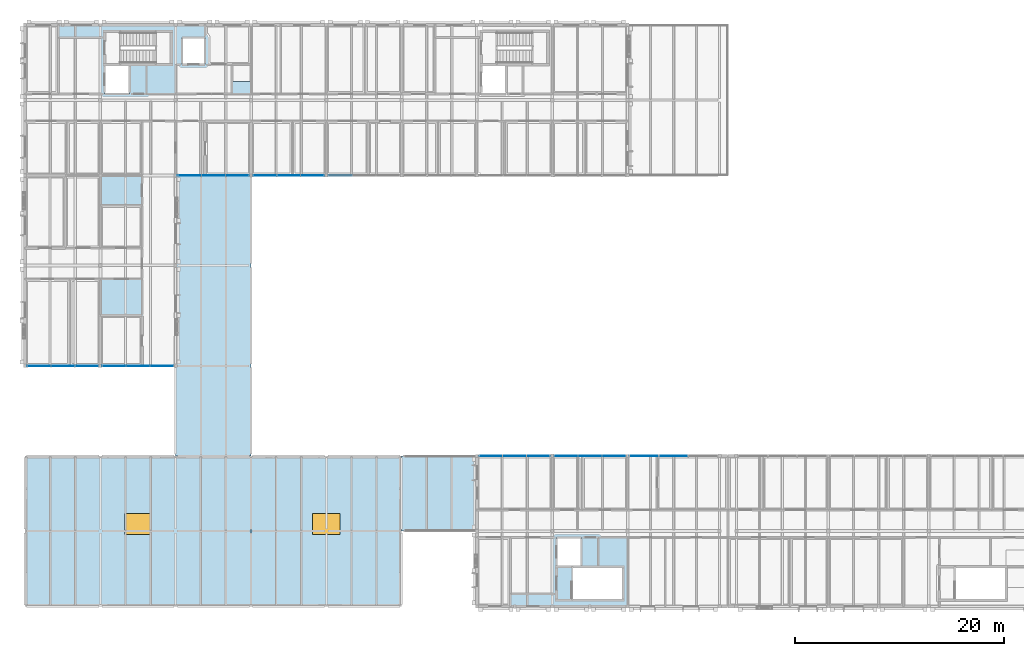
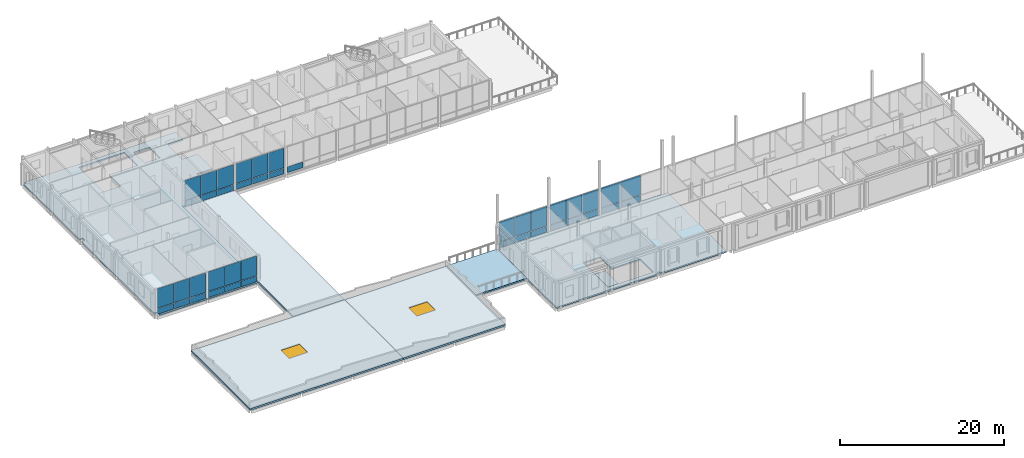
# One storey, part 33 of 57: 41 plates, 7 slabs, 2 windows, 2 openings, 8 elements without a shape of their own.
"""IFC4 building model written with IfcOpenShell, lengths in metres."""

import ifcopenshell
import ifcopenshell.guid

model = None  # the IFC model being written
_history = None  # IfcOwnerHistory: only IFC2X3 demands one
_inside = {}  # id of a spatial element -> (the spatial element, [elements in it])
_under = {}  # id of a project, library or spatial element -> (it, [spatial elements below it])
_declared = {}  # id of a project -> (the project, [libraries it declares])
_typed = {}  # id of a type object -> (the type object, [elements of that type])
_made_of = {}  # id of a material, layer set ... -> (it, [elements and type objects made of it])


def new_model(schema):
    """Start an empty IFC model of exactly this schema.

    Asked for "IFC4X3", IfcOpenShell would pick the latest addendum, in which some entities
    have other attributes; the version numbers below select the first issue.
    IFC2X3 requires an IfcOwnerHistory on every rooted entity: one is made here for all.
    """
    global model, _history
    if schema == "IFC4X3":
        model = ifcopenshell.file(schema_version=(4, 3, 0, 0))
    else:
        model = ifcopenshell.file(schema=schema)
    _inside.clear()
    _under.clear()
    _declared.clear()
    _typed.clear()
    _made_of.clear()
    _history = None
    if model.schema == "IFC2X3":
        org = make("IfcOrganization", Name="unknown")
        user = make(
            "IfcPersonAndOrganization",
            ThePerson=make("IfcPerson", FamilyName="unknown"),
            TheOrganization=org,
        )
        app = make(
            "IfcApplication",
            ApplicationDeveloper=org,
            Version="unknown",
            ApplicationFullName="unknown",
            ApplicationIdentifier="unknown",
        )
        _history = make(
            "IfcOwnerHistory",
            OwningUser=user,
            OwningApplication=app,
            ChangeAction="ADDED",
            CreationDate=0,
        )
    return model


def make(cls, **values):
    """One entity of the class cls with the attributes given. An attribute that is None is left unset."""
    return model.create_entity(
        cls, **{name: value for name, value in values.items() if value is not None}
    )


def rooted(cls, **values):
    """An entity with a GlobalId (a new one), such as an element, a storey or a relation."""
    return make(cls, GlobalId=ifcopenshell.guid.new(), OwnerHistory=_history, **values)


def si_unit(unit_type, name, prefix=None):
    """IfcSIUnit, for example si_unit("LENGTHUNIT", "METRE", prefix="MILLI")."""
    return make("IfcSIUnit", UnitType=unit_type, Prefix=prefix, Name=name)


def assignment(units):
    """IfcUnitAssignment: the units of a project."""
    return None if units is None else make("IfcUnitAssignment", Units=units)


def point(xyz):
    """IfcCartesianPoint."""
    return None if xyz is None else make("IfcCartesianPoint", Coordinates=xyz)


def direction(xyz):
    """IfcDirection."""
    return None if xyz is None else make("IfcDirection", DirectionRatios=xyz)


def frame(location, z_axis=None, x_axis=None):
    """IfcAxis2Placement3D, a coordinate frame: its origin and axes. An axis left out is left unset."""
    return make(
        "IfcAxis2Placement3D",
        Location=point(location),
        Axis=direction(z_axis),
        RefDirection=direction(x_axis),
    )


def frame_2d(location, x_axis=None):
    """IfcAxis2Placement2D, a coordinate frame in the plane: its origin and x axis."""
    return make(
        "IfcAxis2Placement2D", Location=point(location), RefDirection=direction(x_axis)
    )


def origin():
    """The frame at (0, 0, 0) with its axes left unset."""
    return frame((0.0, 0.0, 0.0))


def origin_2d():
    """The frame at (0, 0) in the plane with its x axis left unset."""
    return frame_2d((0.0, 0.0))


def place(relative_to, where):
    """IfcLocalPlacement: puts the frame where relative to a parent placement (None: the world)."""
    return make(
        "IfcLocalPlacement", PlacementRelTo=relative_to, RelativePlacement=where
    )


def context(
    kind, dimensions, precision=None, world=None, true_north=None, identifier=None
):
    """IfcGeometricRepresentationContext, for example the 3D "Model" context."""
    return make(
        "IfcGeometricRepresentationContext",
        ContextIdentifier=identifier,
        ContextType=kind,
        CoordinateSpaceDimension=dimensions,
        Precision=precision,
        WorldCoordinateSystem=world,
        TrueNorth=true_north,
    )


def subcontext(parent, identifier, kind, view, scale=None):
    """IfcGeometricRepresentationSubContext, for example "Body" below "Model"."""
    return make(
        "IfcGeometricRepresentationSubContext",
        ContextIdentifier=identifier,
        ContextType=kind,
        ParentContext=parent,
        TargetScale=scale,
        TargetView=view,
    )


def project(units=None, contexts=None):
    """IfcProject with its units and contexts."""
    return rooted(
        "IfcProject",
        Name="project",
        RepresentationContexts=contexts,
        UnitsInContext=assignment(units),
    )


def spatial(cls, under=None, at=None, **own):
    """A site, building, storey or space (cls), placed at a placement, below another one or the project."""
    s = rooted(cls, ObjectPlacement=at, **own)
    if under is not None:
        _under.setdefault(under.id(), (under, []))[1].append(s)
    return s


def polyline(points):
    """IfcPolyline through the points."""
    return make("IfcPolyline", Points=[point(p) for p in points])


def profile(cls, at=None, kind="AREA", **sizes):
    """A parametric profile (cls). Its sizes go by their IFC names, for example OverallWidth=200.0."""
    return make(cls, ProfileType=kind, Position=at, **sizes)


def rectangle(**sizes):
    """IfcRectangleProfileDef."""
    return profile("IfcRectangleProfileDef", **sizes)


def outline(outer, holes=None, kind="AREA"):
    """IfcArbitraryClosedProfileDef: a profile drawn as a closed curve; with holes, ...WithVoids."""
    if holes is None:
        return make("IfcArbitraryClosedProfileDef", ProfileType=kind, OuterCurve=outer)
    return make(
        "IfcArbitraryProfileDefWithVoids",
        ProfileType=kind,
        OuterCurve=outer,
        InnerCurves=holes,
    )


def extrude(swept, where, along, depth):
    """IfcExtrudedAreaSolid: the profile swept, set in the frame where, extruded along a direction by depth."""
    return make(
        "IfcExtrudedAreaSolid",
        SweptArea=swept,
        Position=where,
        ExtrudedDirection=direction(along),
        Depth=depth,
    )


def shape(context_of_items, identifier, shape_type, items):
    """IfcShapeRepresentation: the items that make up one representation, for example the "Body"."""
    return make(
        "IfcShapeRepresentation",
        ContextOfItems=context_of_items,
        RepresentationIdentifier=identifier,
        RepresentationType=shape_type,
        Items=items,
    )


def material(Name=None, Category=None):
    """IfcMaterial."""
    return make("IfcMaterial", Name=Name, Category=Category)


def layer(
    of_material, thickness, ventilated=None, Name=None, Category=None, Priority=None
):
    """IfcMaterialLayer: one layer of a wall or slab, of a material (None: an air gap)."""
    return make(
        "IfcMaterialLayer",
        Material=of_material,
        LayerThickness=thickness,
        IsVentilated=ventilated,
        Name=Name,
        Category=Category,
        Priority=Priority,
    )


def layer_set(layers, Name=None):
    """IfcMaterialLayerSet."""
    return make("IfcMaterialLayerSet", MaterialLayers=layers, LayerSetName=Name)


def made_of(thing, what):
    """Note that an element or type object is made of a material, layer set ...; save() writes the relation."""
    if what is not None:
        _made_of.setdefault(what.id(), (what, []))[1].append(thing)
    return thing


def type_object(cls, material=None, **own):
    """A type object (cls), such as IfcWallType, which elements share."""
    return made_of(rooted(cls, **own), material)


def element(
    cls,
    number,
    at=None,
    inside=None,
    cuts=None,
    type_object=None,
    material=None,
    context=None,
    identifier="Body",
    shape_type=None,
    held_by="IfcProductDefinitionShape",
    body=None,
    shapes=None,
    **own,
):
    """One element of the class cls, such as IfcWall. Its Tag is "e" and its number.

    at: its placement. inside: the storey or other place that contains it. cuts: it is an
    opening in that element (IfcRelVoidsElement). A single representation is given by context,
    identifier, shape_type and body (its items); several are given by shapes. held_by: the class
    of the entity that holds the representations. save() writes the other relations.
    """
    e = rooted(cls, Tag="e%d" % number, ObjectPlacement=at, **own)
    if body is not None:
        shapes = [shape(context, identifier, shape_type, body)]
    if shapes is not None:
        e.Representation = make(held_by, Representations=shapes)
    if inside is not None:
        _inside.setdefault(inside.id(), (inside, []))[1].append(e)
    if cuts is not None:
        rooted(
            "IfcRelVoidsElement", RelatingBuildingElement=cuts, RelatedOpeningElement=e
        )
    if type_object is not None:
        _typed.setdefault(type_object.id(), (type_object, []))[1].append(e)
    return made_of(e, material)


def fill(opening, filler):
    """IfcRelFillsElement: the door or window that sits in an opening."""
    return rooted(
        "IfcRelFillsElement",
        RelatingOpeningElement=opening,
        RelatedBuildingElement=filler,
    )


def aggregate(whole, parts):
    """IfcRelAggregates: a whole, such as a stair, and the parts it consists of."""
    return rooted("IfcRelAggregates", RelatingObject=whole, RelatedObjects=parts)


def save(model, path):
    """Write the relations noted so far, then the file.

    IfcRelAggregates (storeys below a building ...), IfcRelContainedInSpatialStructure (elements
    in a storey), IfcRelDefinesByType, IfcRelAssociatesMaterial and IfcRelDeclares: one each for
    every whole, place, type object, material and project.
    """
    for whole, parts in _under.values():
        aggregate(whole, parts)
    for where, things in _inside.values():
        rooted(
            "IfcRelContainedInSpatialStructure",
            RelatedElements=things,
            RelatingStructure=where,
        )
    for kind, things in _typed.values():
        rooted("IfcRelDefinesByType", RelatedObjects=things, RelatingType=kind)
    for what, things in _made_of.values():
        rooted("IfcRelAssociatesMaterial", RelatedObjects=things, RelatingMaterial=what)
    for by, libraries in _declared.values():
        rooted("IfcRelDeclares", RelatingContext=by, RelatedDefinitions=libraries)
    model.write(path)


model = new_model("IFC4")

# Units and contexts
model_context = context("Model", 3, precision=1e-05, world=origin(), true_north=direction((0.0, 1.0)))
body_context = subcontext(model_context, "Body", "Model", "MODEL_VIEW")
ifc_project = project(units=[si_unit("LENGTHUNIT", "METRE"), si_unit("AREAUNIT", "SQUARE_METRE"), si_unit("VOLUMEUNIT", "CUBIC_METRE"), si_unit("PLANEANGLEUNIT", "RADIAN"), si_unit("MASSUNIT", "GRAM", prefix="KILO")], contexts=[model_context])

# Site, building, storey
site_placement = place(None, origin())
site = spatial("IfcSite", under=ifc_project, at=site_placement, CompositionType="ELEMENT")
building_placement = place(site_placement, origin())
building = spatial("IfcBuilding", under=site, at=building_placement, Name="Hawrajan Terrace Health Centre", CompositionType="ELEMENT")
storey_placement = place(building_placement, frame((0.0, 0.0, 13.199951171875)))
storey = spatial("IfcBuildingStorey", under=building, at=storey_placement, Name="L03", CompositionType="ELEMENT", Elevation=13.199951171875)

# Curtain wall, plates
ifc_material_1 = material(Name="Anodized bronze aluminium and low-E solar glazing", Category="aluminium")
curtain_wall_type_1 = type_object("IfcCurtainWallType", Name="CW_Garden_SeriesF1", PredefinedType="USERDEFINED", material=ifc_material_1)
curtain_wall_1_placement = place(storey_placement, origin())
curtain_wall_1 = element("IfcCurtainWall", 1, at=curtain_wall_1_placement, inside=storey, type_object=curtain_wall_type_1, Name="Curtain wall CW-L03-158", ObjectType="UNITISED CURTAIN WALL", PredefinedType="USERDEFINED")
ifc_material_2 = material(Name="Diffused north-light insulated glazing", Category="glass")
ifc_layer_1 = layer(ifc_material_2, 0.031982421875)
ifc_layer_set_1 = layer_set([ifc_layer_1], Name="Diffused north-light insulated glazing")
plate_type_1 = type_object("IfcPlateType", Name="ClerestoryGlassPanel_32", PredefinedType="CURTAIN_PANEL", material=ifc_layer_set_1)
plate_1_placement = place(storey_placement, frame((5.93505859375, 27.199951171875, 0.9814453125), z_axis=(0.0, 0.0, 1.0), x_axis=(1.0, 0.0, 0.0)))
plate_1 = element("IfcPlate", 2, at=plate_1_placement, type_object=plate_type_1, Name="Curtain panel CW-L03-158-P1-2", PredefinedType="CURTAIN_PANEL", context=body_context, shape_type="SweptSolid", body=[
    extrude(rectangle(XDim=2.2119140625, YDim=0.031982421875, at=origin_2d()), origin(), (0.0, 0.0, 1.0), 2.8994140625),
])
plate_2_placement = place(storey_placement, frame((8.2099609375, 27.199951171875, 0.9814453125), z_axis=(0.0, 0.0, 1.0), x_axis=(1.0, 0.0, 0.0)))
plate_2 = element("IfcPlate", 3, at=plate_2_placement, type_object=plate_type_1, Name="Curtain panel CW-L03-158-P2-2", PredefinedType="CURTAIN_PANEL", context=body_context, shape_type="SweptSolid", body=[
    extrude(rectangle(XDim=2.2119140625, YDim=0.031982421875, at=origin_2d()), origin(), (0.0, 0.0, 1.0), 2.8994140625),
])
plate_3_placement = place(storey_placement, frame((10.485107421875, 27.199951171875, 0.9814453125), z_axis=(0.0, 0.0, 1.0), x_axis=(1.0, 0.0, 0.0)))
plate_3 = element("IfcPlate", 4, at=plate_3_placement, type_object=plate_type_1, Name="Curtain panel CW-L03-158-P3-2", PredefinedType="CURTAIN_PANEL", context=body_context, shape_type="SweptSolid", body=[
    extrude(rectangle(XDim=2.2119140625, YDim=0.031982421875, at=origin_2d()), origin(), (0.0, 0.0, 1.0), 2.8994140625),
])

curtain_wall_type_2 = type_object("IfcCurtainWallType", Name="CW_Clerestory_SeriesG2", PredefinedType="USERDEFINED", material=ifc_material_1)
curtain_wall_2_placement = place(storey_placement, origin())
curtain_wall_2 = element("IfcCurtainWall", 5, at=curtain_wall_2_placement, inside=storey, type_object=curtain_wall_type_2, Name="Curtain wall CW-L03-161", ObjectType="UNITISED CURTAIN WALL", PredefinedType="USERDEFINED")
plate_4_placement = place(storey_placement, frame((27.514892578125, 45.39990234375, 0.9814453125), z_axis=(0.0, 0.0, 1.0), x_axis=(1.0, 0.0, 0.0)))
plate_4 = element("IfcPlate", 6, at=plate_4_placement, type_object=plate_type_1, Name="Curtain panel CW-L03-161-P1-2", PredefinedType="CURTAIN_PANEL", context=body_context, shape_type="SweptSolid", body=[
    extrude(rectangle(XDim=2.2119140625, YDim=0.031982421875, at=origin_2d()), origin(), (0.0, 0.0, 1.0), 2.95947265625),
])
plate_5_placement = place(storey_placement, frame((29.7900390625, 45.39990234375, 0.9814453125), z_axis=(0.0, 0.0, 1.0), x_axis=(1.0, 0.0, 0.0)))
plate_5 = element("IfcPlate", 7, at=plate_5_placement, type_object=plate_type_1, Name="Curtain panel CW-L03-161-P2-2", PredefinedType="CURTAIN_PANEL", context=body_context, shape_type="SweptSolid", body=[
    extrude(rectangle(XDim=2.2119140625, YDim=0.031982421875, at=origin_2d()), origin(), (0.0, 0.0, 1.0), 2.95947265625),
])
plate_6_placement = place(storey_placement, frame((32.06494140625, 45.39990234375, 0.9814453125), z_axis=(0.0, 0.0, 1.0), x_axis=(1.0, 0.0, 0.0)))
plate_6 = element("IfcPlate", 8, at=plate_6_placement, type_object=plate_type_1, Name="Curtain panel CW-L03-161-P3-2", PredefinedType="CURTAIN_PANEL", context=body_context, shape_type="SweptSolid", body=[
    extrude(rectangle(XDim=2.2119140625, YDim=0.031982421875, at=origin_2d()), origin(), (0.0, 0.0, 1.0), 2.95947265625),
])

curtain_wall_type_3 = type_object("IfcCurtainWallType", Name="CW_Bridge_SeriesJ1", PredefinedType="USERDEFINED", material=ifc_material_1)
curtain_wall_3_placement = place(storey_placement, origin())
curtain_wall_3 = element("IfcCurtainWall", 9, at=curtain_wall_3_placement, inside=storey, type_object=curtain_wall_type_3, Name="Curtain wall CW-L03-164", ObjectType="UNITISED CURTAIN WALL", PredefinedType="USERDEFINED")
plate_7_placement = place(storey_placement, frame((49.114990234375, 18.60009765625, 0.9814453125), z_axis=(0.0, 0.0, 1.0), x_axis=(1.0, 0.0, 0.0)))
plate_7 = element("IfcPlate", 10, at=plate_7_placement, type_object=plate_type_1, Name="Curtain panel CW-L03-164-P1-2", PredefinedType="CURTAIN_PANEL", context=body_context, shape_type="SweptSolid", body=[
    extrude(rectangle(XDim=2.2119140625, YDim=0.031982421875, at=origin_2d()), origin(), (0.0, 0.0, 1.0), 2.949462890625),
])
plate_8_placement = place(storey_placement, frame((51.389892578125, 18.60009765625, 0.9814453125), z_axis=(0.0, 0.0, 1.0), x_axis=(1.0, 0.0, 0.0)))
plate_8 = element("IfcPlate", 11, at=plate_8_placement, type_object=plate_type_1, Name="Curtain panel CW-L03-164-P2-2", PredefinedType="CURTAIN_PANEL", context=body_context, shape_type="SweptSolid", body=[
    extrude(rectangle(XDim=2.2119140625, YDim=0.031982421875, at=origin_2d()), origin(), (0.0, 0.0, 1.0), 2.949462890625),
])
plate_9_placement = place(storey_placement, frame((53.6650390625, 18.60009765625, 0.9814453125), z_axis=(0.0, 0.0, 1.0), x_axis=(1.0, 0.0, 0.0)))
plate_9 = element("IfcPlate", 12, at=plate_9_placement, type_object=plate_type_1, Name="Curtain panel CW-L03-164-P3-2", PredefinedType="CURTAIN_PANEL", context=body_context, shape_type="SweptSolid", body=[
    extrude(rectangle(XDim=2.2119140625, YDim=0.031982421875, at=origin_2d()), origin(), (0.0, 0.0, 1.0), 2.949462890625),
])

# Slabs
ifc_material_3 = material(Name="Cross-laminated timber CLT C24", Category="wood")
ifc_layer_2 = layer(ifc_material_3, 0.2099609375)
ifc_layer_set_2 = layer_set([ifc_layer_2], Name="Cross-laminated timber CLT C24")
slab_type_1 = type_object("IfcSlabType", Name="FloorSlab_CLT210", PredefinedType="FLOOR", material=ifc_layer_set_2)
slab_1_placement = place(storey_placement, frame((0.0, 0.0, -0.2099609375)))
element("IfcSlab", 13, at=slab_1_placement, inside=storey, type_object=slab_type_1, Name="Structural slab SL-L03-W-V2-Z0-1", PredefinedType="FLOOR", context=body_context, shape_type="SweptSolid", body=[
    extrude(outline(polyline([(4.60009765625, 59.52001953125), (4.8798828125, 59.52001953125), (4.8798828125, 59.800048828125), (11.800048828125, 59.800048828125), (19.0, 59.800048828125), (26.199951171875, 59.800048828125), (26.199951171875, 59.52001953125), (26.199951171875, 58.0), (24.0, 58.0), (24.0, 54.39990234375), (26.199951171875, 54.39990234375), (26.199951171875, 52.60009765625), (26.199951171875, 50.800048828125), (24.0, 50.800048828125), (24.0, 47.199951171875), (26.199951171875, 47.199951171875), (26.199951171875, 45.39990234375), (19.280029296875, 45.39990234375), (19.280029296875, 45.679931640625), (19.0, 45.679931640625), (19.0, 45.39990234375), (19.0, 36.800048828125), (19.0, 27.199951171875), (11.800048828125, 27.199951171875), (5.10009765625, 27.199951171875), (5.10009765625, 27.699951171875), (4.60009765625, 27.699951171875), (4.60009765625, 36.800048828125), (4.60009765625, 45.39990234375), (5.10009765625, 45.39990234375), (5.10009765625, 45.89990234375), (4.60009765625, 45.89990234375), (4.60009765625, 52.60009765625), (4.60009765625, 59.52001953125)]), holes=[polyline([(14.60009765625, 53.199951171875), (14.60009765625, 56.0), (18.60009765625, 56.0), (18.60009765625, 59.199951171875), (12.199951171875, 59.199951171875), (12.199951171875, 56.0), (12.199951171875, 53.199951171875), (14.60009765625, 53.199951171875)]), polyline([(21.800048828125, 56.0), (21.800048828125, 58.60009765625), (19.60009765625, 58.60009765625), (19.60009765625, 56.0), (21.800048828125, 56.0)])]), origin(), (0.0, 0.0, 1.0), 0.2099609375),
])
slab_2_placement = place(storey_placement, frame((0.0, 0.0, -0.2099609375)))
element("IfcSlab", 14, at=slab_2_placement, inside=storey, type_object=slab_type_1, Name="Structural slab SL-L03-W-V3-Z2-1", PredefinedType="FLOOR", context=body_context, shape_type="SweptSolid", body=[
    extrude(outline(polyline([(48.080078125, 18.320068359375), (48.080078125, 18.60009765625), (55.0, 18.60009765625), (62.199951171875, 18.60009765625), (71.794921875, 18.60009765625), (71.794921875, 11.39990234375), (71.794921875, 4.199951171875), (62.47998046875, 4.199951171875), (62.47998046875, 4.47998046875), (62.199951171875, 4.47998046875), (62.199951171875, 4.199951171875), (55.0, 4.199951171875), (47.800048828125, 4.199951171875), (47.800048828125, 11.39990234375), (47.800048828125, 18.320068359375), (48.080078125, 18.320068359375)]), holes=[polyline([(55.39990234375, 4.800048828125), (61.800048828125, 4.800048828125), (61.800048828125, 8.0), (57.800048828125, 8.0), (57.800048828125, 10.800048828125), (55.39990234375, 10.800048828125), (55.39990234375, 8.0), (55.39990234375, 4.800048828125)])]), origin(), (0.0, 0.0, 1.0), 0.2099609375),
])

# Slab, opening, window
ifc_layer_3 = layer(ifc_material_3, 0.25)
ifc_layer_set_3 = layer_set([ifc_layer_3], Name="Cross-laminated timber CLT C24")
slab_type_2 = type_object("IfcSlabType", Name="RoofSlab_Ziggurat250", PredefinedType="ROOF", material=ifc_layer_set_3)
slab_3_placement = place(storey_placement, frame((0.0, 0.0, -0.25)))
slab_3 = element("IfcSlab", 15, at=slab_3_placement, inside=storey, type_object=slab_type_2, Name="Day Surgery west cool roof slab", PredefinedType="ROOF", context=body_context, shape_type="SweptSolid", body=[
    extrude(outline(polyline([(4.60009765625, 4.199951171875), (26.199951171875, 4.199951171875), (26.199951171875, 18.60009765625), (4.60009765625, 18.60009765625), (4.60009765625, 4.199951171875)]), holes=[polyline([(14.10009765625, 11.10009765625), (16.699951171875, 11.10009765625), (16.699951171875, 13.10009765625), (14.10009765625, 13.10009765625), (14.10009765625, 11.10009765625)])]), origin(), (0.0, 0.0, 1.0), 0.25),
])
opening_1_placement = place(slab_3_placement, frame((15.39990234375, 12.10009765625, -0.010009765625)))
opening_1 = element("IfcOpeningElement", 16, at=opening_1_placement, cuts=slab_3, Name="Opening SK-L03-01", PredefinedType="OPENING", context=body_context, shape_type="SweptSolid", body=[
    extrude(rectangle(XDim=2.60009765625, YDim=2.0, at=origin_2d()), origin(), (0.0, 0.0, 1.0), 0.27001953125),
])
ifc_material_4 = material(Name="Thermally broken bronze skylight with laminated solar glass", Category="glass")
window_type = type_object("IfcWindowType", Name="RoofSkylight_2600x2000", PartitioningType="SINGLE_PANEL", PredefinedType="SKYLIGHT", material=ifc_material_4)
window_1_placement = place(opening_1_placement, frame((0.0, 0.0, 0.2099609375)))
window_1 = element("IfcWindow", 17, at=window_1_placement, inside=storey, type_object=window_type, Name="Day surgery corridor skylight SK-L03-01", OverallHeight=2.0, OverallWidth=2.60009765625, PartitioningType="SINGLE_PANEL", PredefinedType="SKYLIGHT", context=body_context, shape_type="SweptSolid", body=[
    extrude(rectangle(XDim=2.60009765625, YDim=2.0, at=origin_2d()), origin(), (0.0, 0.0, 1.0), 0.050048828125),
])
fill(opening_1, window_1)

slab_4_placement = place(storey_placement, frame((0.0, 0.0, -0.25)))
slab_4 = element("IfcSlab", 18, at=slab_4_placement, inside=storey, type_object=slab_type_2, Name="Day Surgery east cool roof slab", PredefinedType="ROOF", context=body_context, shape_type="SweptSolid", body=[
    extrude(outline(polyline([(26.199951171875, 4.199951171875), (40.60009765625, 4.199951171875), (40.60009765625, 18.60009765625), (26.199951171875, 18.60009765625), (26.199951171875, 4.199951171875)]), holes=[polyline([(32.10009765625, 11.10009765625), (34.699951171875, 11.10009765625), (34.699951171875, 13.10009765625), (32.10009765625, 13.10009765625), (32.10009765625, 11.10009765625)])]), origin(), (0.0, 0.0, 1.0), 0.25),
])
opening_2_placement = place(slab_4_placement, frame((33.39990234375, 12.10009765625, -0.010009765625)))
opening_2 = element("IfcOpeningElement", 19, at=opening_2_placement, cuts=slab_4, Name="Opening SK-L03-02", PredefinedType="OPENING", context=body_context, shape_type="SweptSolid", body=[
    extrude(rectangle(XDim=2.60009765625, YDim=2.0, at=origin_2d()), origin(), (0.0, 0.0, 1.0), 0.27001953125),
])
window_2_placement = place(opening_2_placement, frame((0.0, 0.0, 0.2099609375)))
window_2 = element("IfcWindow", 20, at=window_2_placement, inside=storey, type_object=window_type, Name="Day surgery corridor skylight SK-L03-02", OverallHeight=2.0, OverallWidth=2.60009765625, PartitioningType="SINGLE_PANEL", PredefinedType="SKYLIGHT", context=body_context, shape_type="SweptSolid", body=[
    extrude(rectangle(XDim=2.60009765625, YDim=2.0, at=origin_2d()), origin(), (0.0, 0.0, 1.0), 0.050048828125),
])
fill(opening_2, window_2)

# Slab
slab_5_placement = place(storey_placement, frame((0.0, 0.0, -0.25)))
element("IfcSlab", 21, at=slab_5_placement, inside=storey, type_object=slab_type_2, Name="West Courtyard Link cool roof slab", PredefinedType="ROOF", context=body_context, shape_type="SweptSolid", body=[
    extrude(outline(polyline([(19.0, 18.60009765625), (26.199951171875, 18.60009765625), (26.199951171875, 45.39990234375), (19.0, 45.39990234375), (19.0, 18.60009765625)])), origin(), (0.0, 0.0, 1.0), 0.25),
])

# Plate
ifc_material_5 = material(Name="Insulated anodized bronze spandrel panel")
ifc_layer_4 = layer(ifc_material_5, 0.048095703125)
ifc_layer_set_4 = layer_set([ifc_layer_4], Name="Insulated anodized bronze spandrel panel")
plate_type_2 = type_object("IfcPlateType", Name="SpandrelPanel_Bronze48", PredefinedType="CURTAIN_PANEL", material=ifc_layer_set_4)
plate_10_placement = place(storey_placement, frame((5.93505859375, 27.199951171875, 0.06884765625), z_axis=(0.0, 0.0, 1.0), x_axis=(1.0, 0.0, 0.0)))
plate_10 = element("IfcPlate", 22, at=plate_10_placement, type_object=plate_type_2, Name="Curtain panel CW-L03-158-P1-1", PredefinedType="CURTAIN_PANEL", context=body_context, shape_type="SweptSolid", body=[
    extrude(rectangle(XDim=2.2119140625, YDim=0.048095703125, at=origin_2d()), origin(), (0.0, 0.0, 1.0), 0.849609375),
])

plate_11_placement = place(storey_placement, frame((8.2099609375, 27.199951171875, 0.06884765625), z_axis=(0.0, 0.0, 1.0), x_axis=(1.0, 0.0, 0.0)))
plate_11 = element("IfcPlate", 23, at=plate_11_placement, type_object=plate_type_2, Name="Curtain panel CW-L03-158-P2-1", PredefinedType="CURTAIN_PANEL", context=body_context, shape_type="SweptSolid", body=[
    extrude(rectangle(XDim=2.2119140625, YDim=0.048095703125, at=origin_2d()), origin(), (0.0, 0.0, 1.0), 0.849609375),
])

plate_12_placement = place(storey_placement, frame((10.485107421875, 27.199951171875, 0.06884765625), z_axis=(0.0, 0.0, 1.0), x_axis=(1.0, 0.0, 0.0)))
plate_12 = element("IfcPlate", 24, at=plate_12_placement, type_object=plate_type_2, Name="Curtain panel CW-L03-158-P3-1", PredefinedType="CURTAIN_PANEL", context=body_context, shape_type="SweptSolid", body=[
    extrude(rectangle(XDim=2.2119140625, YDim=0.048095703125, at=origin_2d()), origin(), (0.0, 0.0, 1.0), 0.849609375),
])

aggregate(curtain_wall_1, [plate_10, plate_1, plate_11, plate_2, plate_12, plate_3])

# Curtain wall, plates
curtain_wall_type_4 = type_object("IfcCurtainWallType", Name="CW_Clerestory_SeriesG1", PredefinedType="USERDEFINED", material=ifc_material_1)
curtain_wall_4_placement = place(storey_placement, origin())
curtain_wall_4 = element("IfcCurtainWall", 25, at=curtain_wall_4_placement, inside=storey, type_object=curtain_wall_type_4, Name="Curtain wall CW-L03-160", ObjectType="UNITISED CURTAIN WALL", PredefinedType="USERDEFINED")
plate_13_placement = place(storey_placement, frame((20.331787109375, 45.39990234375, 0.05908203125), z_axis=(0.0, 0.0, 1.0), x_axis=(1.0, 0.0, 0.0)))
plate_13 = element("IfcPlate", 26, at=plate_13_placement, type_object=plate_type_2, Name="Curtain panel CW-L03-160-P1-1", PredefinedType="CURTAIN_PANEL", context=body_context, shape_type="SweptSolid", body=[
    extrude(rectangle(XDim=2.225341796875, YDim=0.048095703125, at=origin_2d()), origin(), (0.0, 0.0, 1.0), 0.864501953125),
])
plate_14_placement = place(storey_placement, frame((22.610107421875, 45.39990234375, 0.05908203125), z_axis=(0.0, 0.0, 1.0), x_axis=(1.0, 0.0, 0.0)))
plate_14 = element("IfcPlate", 27, at=plate_14_placement, type_object=plate_type_2, Name="Curtain panel CW-L03-160-P2-1", PredefinedType="CURTAIN_PANEL", context=body_context, shape_type="SweptSolid", body=[
    extrude(rectangle(XDim=2.225341796875, YDim=0.048095703125, at=origin_2d()), origin(), (0.0, 0.0, 1.0), 0.864501953125),
])
plate_15_placement = place(storey_placement, frame((24.88818359375, 45.39990234375, 0.05908203125), z_axis=(0.0, 0.0, 1.0), x_axis=(1.0, 0.0, 0.0)))
plate_15 = element("IfcPlate", 28, at=plate_15_placement, type_object=plate_type_2, Name="Curtain panel CW-L03-160-P3-1", PredefinedType="CURTAIN_PANEL", context=body_context, shape_type="SweptSolid", body=[
    extrude(rectangle(XDim=2.225341796875, YDim=0.048095703125, at=origin_2d()), origin(), (0.0, 0.0, 1.0), 0.864501953125),
])

# Curtain wall, plate
curtain_wall_type_5 = type_object("IfcCurtainWallType", Name="CW_Clerestory_SeriesG3", PredefinedType="USERDEFINED", material=ifc_material_1)
curtain_wall_5_placement = place(storey_placement, origin())
curtain_wall_5 = element("IfcCurtainWall", 29, at=curtain_wall_5_placement, inside=storey, type_object=curtain_wall_type_5, Name="Curtain wall CW-L03-162", ObjectType="UNITISED CURTAIN WALL", PredefinedType="USERDEFINED")
plate_16_placement = place(storey_placement, frame((34.731689453125, 45.39990234375, 0.05908203125), z_axis=(0.0, 0.0, 1.0), x_axis=(1.0, 0.0, 0.0)))
plate_16 = element("IfcPlate", 30, at=plate_16_placement, type_object=plate_type_2, Name="Curtain panel CW-L03-162-P1-1", PredefinedType="CURTAIN_PANEL", context=body_context, shape_type="SweptSolid", body=[
    extrude(rectangle(XDim=2.225341796875, YDim=0.048095703125, at=origin_2d()), origin(), (0.0, 0.0, 1.0), 0.864501953125),
])
aggregate(curtain_wall_5, [plate_16])

# Plate
plate_17_placement = place(storey_placement, frame((49.114990234375, 18.60009765625, 0.06884765625), z_axis=(0.0, 0.0, 1.0), x_axis=(1.0, 0.0, 0.0)))
plate_17 = element("IfcPlate", 31, at=plate_17_placement, type_object=plate_type_2, Name="Curtain panel CW-L03-164-P1-1", PredefinedType="CURTAIN_PANEL", context=body_context, shape_type="SweptSolid", body=[
    extrude(rectangle(XDim=2.2119140625, YDim=0.048095703125, at=origin_2d()), origin(), (0.0, 0.0, 1.0), 0.849609375),
])

plate_18_placement = place(storey_placement, frame((51.389892578125, 18.60009765625, 0.06884765625), z_axis=(0.0, 0.0, 1.0), x_axis=(1.0, 0.0, 0.0)))
plate_18 = element("IfcPlate", 32, at=plate_18_placement, type_object=plate_type_2, Name="Curtain panel CW-L03-164-P2-1", PredefinedType="CURTAIN_PANEL", context=body_context, shape_type="SweptSolid", body=[
    extrude(rectangle(XDim=2.2119140625, YDim=0.048095703125, at=origin_2d()), origin(), (0.0, 0.0, 1.0), 0.849609375),
])

plate_19_placement = place(storey_placement, frame((53.6650390625, 18.60009765625, 0.06884765625), z_axis=(0.0, 0.0, 1.0), x_axis=(1.0, 0.0, 0.0)))
plate_19 = element("IfcPlate", 33, at=plate_19_placement, type_object=plate_type_2, Name="Curtain panel CW-L03-164-P3-1", PredefinedType="CURTAIN_PANEL", context=body_context, shape_type="SweptSolid", body=[
    extrude(rectangle(XDim=2.2119140625, YDim=0.048095703125, at=origin_2d()), origin(), (0.0, 0.0, 1.0), 0.849609375),
])

aggregate(curtain_wall_3, [plate_17, plate_7, plate_18, plate_8, plate_19, plate_9])

# Curtain wall, plates
curtain_wall_type_6 = type_object("IfcCurtainWallType", Name="CW_Setback_SeriesL1", PredefinedType="USERDEFINED", material=ifc_material_1)
curtain_wall_6_placement = place(storey_placement, origin())
curtain_wall_6 = element("IfcCurtainWall", 34, at=curtain_wall_6_placement, inside=storey, type_object=curtain_wall_type_6, Name="Curtain wall CW-L03-166", ObjectType="UNITISED CURTAIN WALL", PredefinedType="USERDEFINED")
plate_20_placement = place(storey_placement, frame((56.331787109375, 18.60009765625, 0.05908203125), z_axis=(0.0, 0.0, 1.0), x_axis=(1.0, 0.0, 0.0)))
plate_20 = element("IfcPlate", 35, at=plate_20_placement, type_object=plate_type_2, Name="Curtain panel CW-L03-166-P1-1", PredefinedType="CURTAIN_PANEL", context=body_context, shape_type="SweptSolid", body=[
    extrude(rectangle(XDim=2.225341796875, YDim=0.048095703125, at=origin_2d()), origin(), (0.0, 0.0, 1.0), 0.864501953125),
])
plate_21_placement = place(storey_placement, frame((58.610107421875, 18.60009765625, 0.05908203125), z_axis=(0.0, 0.0, 1.0), x_axis=(1.0, 0.0, 0.0)))
plate_21 = element("IfcPlate", 36, at=plate_21_placement, type_object=plate_type_2, Name="Curtain panel CW-L03-166-P2-1", PredefinedType="CURTAIN_PANEL", context=body_context, shape_type="SweptSolid", body=[
    extrude(rectangle(XDim=2.225341796875, YDim=0.048095703125, at=origin_2d()), origin(), (0.0, 0.0, 1.0), 0.864501953125),
])
plate_22_placement = place(storey_placement, frame((60.88818359375, 18.60009765625, 0.05908203125), z_axis=(0.0, 0.0, 1.0), x_axis=(1.0, 0.0, 0.0)))
plate_22 = element("IfcPlate", 37, at=plate_22_placement, type_object=plate_type_2, Name="Curtain panel CW-L03-166-P3-1", PredefinedType="CURTAIN_PANEL", context=body_context, shape_type="SweptSolid", body=[
    extrude(rectangle(XDim=2.225341796875, YDim=0.048095703125, at=origin_2d()), origin(), (0.0, 0.0, 1.0), 0.864501953125),
])

curtain_wall_type_7 = type_object("IfcCurtainWallType", Name="CW_Diagnostic_SeriesM2", PredefinedType="USERDEFINED", material=ifc_material_1)
curtain_wall_7_placement = place(storey_placement, origin())
curtain_wall_7 = element("IfcCurtainWall", 38, at=curtain_wall_7_placement, inside=storey, type_object=curtain_wall_type_7, Name="Curtain wall CW-L03-168", ObjectType="UNITISED CURTAIN WALL", PredefinedType="USERDEFINED")
plate_23_placement = place(storey_placement, frame((63.7783203125, 18.60009765625, 0.05908203125), z_axis=(0.0, 0.0, 1.0), x_axis=(1.0, 0.0, 0.0)))
plate_23 = element("IfcPlate", 39, at=plate_23_placement, type_object=plate_type_2, Name="Curtain panel CW-L03-168-P1-1", PredefinedType="CURTAIN_PANEL", context=body_context, shape_type="SweptSolid", body=[
    extrude(rectangle(XDim=2.7587890625, YDim=0.048095703125, at=origin_2d()), origin(), (0.0, 0.0, 1.0), 0.864501953125),
])
plate_24_placement = place(storey_placement, frame((66.590087890625, 18.60009765625, 0.05908203125), z_axis=(0.0, 0.0, 1.0), x_axis=(1.0, 0.0, 0.0)))
plate_24 = element("IfcPlate", 40, at=plate_24_placement, type_object=plate_type_2, Name="Curtain panel CW-L03-168-P2-1", PredefinedType="CURTAIN_PANEL", context=body_context, shape_type="SweptSolid", body=[
    extrude(rectangle(XDim=2.7587890625, YDim=0.048095703125, at=origin_2d()), origin(), (0.0, 0.0, 1.0), 0.864501953125),
])

curtain_wall_type_8 = type_object("IfcCurtainWallType", Name="CW_Garden_SeriesF2", PredefinedType="USERDEFINED", material=ifc_material_1)
curtain_wall_8_placement = place(storey_placement, origin())
curtain_wall_8 = element("IfcCurtainWall", 41, at=curtain_wall_8_placement, inside=storey, type_object=curtain_wall_type_8, Name="Curtain wall CW-L03-159", ObjectType="UNITISED CURTAIN WALL", PredefinedType="USERDEFINED")
ifc_material_6 = material(Name="Insulated reconstituted coral-stone spandrel", Category="masonry")
ifc_layer_5 = layer(ifc_material_6, 0.055908203125)
ifc_layer_set_5 = layer_set([ifc_layer_5], Name="Insulated reconstituted coral-stone spandrel")
plate_type_3 = type_object("IfcPlateType", Name="SpandrelPanel_Coral56", PredefinedType="CURTAIN_PANEL", material=ifc_layer_set_5)
plate_25_placement = place(storey_placement, frame((13.11181640625, 27.199951171875, 0.05908203125), z_axis=(0.0, 0.0, 1.0), x_axis=(1.0, 0.0, 0.0)))
plate_25 = element("IfcPlate", 42, at=plate_25_placement, type_object=plate_type_3, Name="Curtain panel CW-L03-159-P1-1", PredefinedType="CURTAIN_PANEL", context=body_context, shape_type="SweptSolid", body=[
    extrude(rectangle(XDim=2.225341796875, YDim=0.055908203125, at=origin_2d()), origin(), (0.0, 0.0, 1.0), 0.864501953125),
])
plate_26_placement = place(storey_placement, frame((15.389892578125, 27.199951171875, 0.05908203125), z_axis=(0.0, 0.0, 1.0), x_axis=(1.0, 0.0, 0.0)))
plate_26 = element("IfcPlate", 43, at=plate_26_placement, type_object=plate_type_3, Name="Curtain panel CW-L03-159-P2-1", PredefinedType="CURTAIN_PANEL", context=body_context, shape_type="SweptSolid", body=[
    extrude(rectangle(XDim=2.225341796875, YDim=0.055908203125, at=origin_2d()), origin(), (0.0, 0.0, 1.0), 0.864501953125),
])
plate_27_placement = place(storey_placement, frame((17.668212890625, 27.199951171875, 0.05908203125), z_axis=(0.0, 0.0, 1.0), x_axis=(1.0, 0.0, 0.0)))
plate_27 = element("IfcPlate", 44, at=plate_27_placement, type_object=plate_type_3, Name="Curtain panel CW-L03-159-P3-1", PredefinedType="CURTAIN_PANEL", context=body_context, shape_type="SweptSolid", body=[
    extrude(rectangle(XDim=2.225341796875, YDim=0.055908203125, at=origin_2d()), origin(), (0.0, 0.0, 1.0), 0.864501953125),
])

# Plate
plate_28_placement = place(storey_placement, frame((27.514892578125, 45.39990234375, 0.06884765625), z_axis=(0.0, 0.0, 1.0), x_axis=(1.0, 0.0, 0.0)))
plate_28 = element("IfcPlate", 45, at=plate_28_placement, type_object=plate_type_3, Name="Curtain panel CW-L03-161-P1-1", PredefinedType="CURTAIN_PANEL", context=body_context, shape_type="SweptSolid", body=[
    extrude(rectangle(XDim=2.2119140625, YDim=0.055908203125, at=origin_2d()), origin(), (0.0, 0.0, 1.0), 0.849609375),
])

plate_29_placement = place(storey_placement, frame((29.7900390625, 45.39990234375, 0.06884765625), z_axis=(0.0, 0.0, 1.0), x_axis=(1.0, 0.0, 0.0)))
plate_29 = element("IfcPlate", 46, at=plate_29_placement, type_object=plate_type_3, Name="Curtain panel CW-L03-161-P2-1", PredefinedType="CURTAIN_PANEL", context=body_context, shape_type="SweptSolid", body=[
    extrude(rectangle(XDim=2.2119140625, YDim=0.055908203125, at=origin_2d()), origin(), (0.0, 0.0, 1.0), 0.849609375),
])

plate_30_placement = place(storey_placement, frame((32.06494140625, 45.39990234375, 0.06884765625), z_axis=(0.0, 0.0, 1.0), x_axis=(1.0, 0.0, 0.0)))
plate_30 = element("IfcPlate", 47, at=plate_30_placement, type_object=plate_type_3, Name="Curtain panel CW-L03-161-P3-1", PredefinedType="CURTAIN_PANEL", context=body_context, shape_type="SweptSolid", body=[
    extrude(rectangle(XDim=2.2119140625, YDim=0.055908203125, at=origin_2d()), origin(), (0.0, 0.0, 1.0), 0.849609375),
])

aggregate(curtain_wall_2, [plate_28, plate_4, plate_29, plate_5, plate_30, plate_6])

# Slabs
ifc_material_7 = material(Name="Concrete C40/50", Category="concrete")
ifc_layer_6 = layer(ifc_material_7, 0.219970703125)
ifc_layer_set_6 = layer_set([ifc_layer_6], Name="Concrete C40/50")
slab_type_3 = type_object("IfcSlabType", Name="StairLanding_RC220", PredefinedType="LANDING", material=ifc_layer_set_6)
slab_6_placement = place(storey_placement, frame((0.0, 0.0, -0.219970703125)))
element("IfcSlab", 48, at=slab_6_placement, inside=storey, type_object=slab_type_3, Name="Stair top arrival landing ST-4", PredefinedType="LANDING", context=body_context, shape_type="SweptSolid", body=[
    extrude(outline(polyline([(55.39990234375, 4.800048828125), (56.89990234375, 4.800048828125), (56.89990234375, 8.0), (55.39990234375, 8.0), (55.39990234375, 4.800048828125)])), origin(), (0.0, 0.0, 1.0), 0.219970703125),
])
ifc_layer_7 = layer(ifc_material_3, 0.219970703125)
ifc_layer_set_7 = layer_set([ifc_layer_7], Name="Cross-laminated timber CLT C24")
slab_type_4 = type_object("IfcSlabType", Name="TerraceDeck_CLT220", PredefinedType="FLOOR", material=ifc_layer_set_7)
slab_7_placement = place(storey_placement, frame((0.0, 0.0, -0.219970703125)))
element("IfcSlab", 49, at=slab_7_placement, inside=storey, type_object=slab_type_4, Name="External terrace deck TR-L03-TERR-L03-LINK-W-1", PredefinedType="FLOOR", context=body_context, shape_type="SweptSolid", body=[
    extrude(outline(polyline([(47.800048828125, 11.39990234375), (40.60009765625, 11.39990234375), (40.60009765625, 18.60009765625), (47.800048828125, 18.60009765625), (47.800048828125, 18.320068359375), (47.800048828125, 11.39990234375)])), origin(), (0.0, 0.0, 1.0), 0.219970703125),
])

# Plate
ifc_material_8 = material(Name="Double-glazed solar control low-E glass", Category="glass")
ifc_layer_8 = layer(ifc_material_8, 0.028076171875)
ifc_layer_set_8 = layer_set([ifc_layer_8], Name="Double-glazed solar control low-E glass")
plate_type_4 = type_object("IfcPlateType", Name="VisionGlassPanel_28", PredefinedType="CURTAIN_PANEL", material=ifc_layer_set_8)
plate_31_placement = place(storey_placement, frame((13.11181640625, 27.199951171875, 0.9765625), z_axis=(0.0, 0.0, 1.0), x_axis=(1.0, 0.0, 0.0)))
plate_31 = element("IfcPlate", 50, at=plate_31_placement, type_object=plate_type_4, Name="Curtain panel CW-L03-159-P1-2", PredefinedType="CURTAIN_PANEL", context=body_context, shape_type="SweptSolid", body=[
    extrude(rectangle(XDim=2.225341796875, YDim=0.028076171875, at=origin_2d()), origin(), (0.0, 0.0, 1.0), 2.91455078125),
])

plate_32_placement = place(storey_placement, frame((15.389892578125, 27.199951171875, 0.9765625), z_axis=(0.0, 0.0, 1.0), x_axis=(1.0, 0.0, 0.0)))
plate_32 = element("IfcPlate", 51, at=plate_32_placement, type_object=plate_type_4, Name="Curtain panel CW-L03-159-P2-2", PredefinedType="CURTAIN_PANEL", context=body_context, shape_type="SweptSolid", body=[
    extrude(rectangle(XDim=2.225341796875, YDim=0.028076171875, at=origin_2d()), origin(), (0.0, 0.0, 1.0), 2.91455078125),
])

plate_33_placement = place(storey_placement, frame((17.668212890625, 27.199951171875, 0.9765625), z_axis=(0.0, 0.0, 1.0), x_axis=(1.0, 0.0, 0.0)))
plate_33 = element("IfcPlate", 52, at=plate_33_placement, type_object=plate_type_4, Name="Curtain panel CW-L03-159-P3-2", PredefinedType="CURTAIN_PANEL", context=body_context, shape_type="SweptSolid", body=[
    extrude(rectangle(XDim=2.225341796875, YDim=0.028076171875, at=origin_2d()), origin(), (0.0, 0.0, 1.0), 2.91455078125),
])

aggregate(curtain_wall_8, [plate_25, plate_31, plate_26, plate_32, plate_27, plate_33])

plate_34_placement = place(storey_placement, frame((63.7783203125, 18.60009765625, 0.9765625), z_axis=(0.0, 0.0, 1.0), x_axis=(1.0, 0.0, 0.0)))
plate_34 = element("IfcPlate", 53, at=plate_34_placement, type_object=plate_type_4, Name="Curtain panel CW-L03-168-P1-2", PredefinedType="CURTAIN_PANEL", context=body_context, shape_type="SweptSolid", body=[
    extrude(rectangle(XDim=2.7587890625, YDim=0.028076171875, at=origin_2d()), origin(), (0.0, 0.0, 1.0), 2.964599609375),
])

plate_35_placement = place(storey_placement, frame((66.590087890625, 18.60009765625, 0.9765625), z_axis=(0.0, 0.0, 1.0), x_axis=(1.0, 0.0, 0.0)))
plate_35 = element("IfcPlate", 54, at=plate_35_placement, type_object=plate_type_4, Name="Curtain panel CW-L03-168-P2-2", PredefinedType="CURTAIN_PANEL", context=body_context, shape_type="SweptSolid", body=[
    extrude(rectangle(XDim=2.7587890625, YDim=0.028076171875, at=origin_2d()), origin(), (0.0, 0.0, 1.0), 2.964599609375),
])

aggregate(curtain_wall_7, [plate_23, plate_34, plate_24, plate_35])

ifc_material_9 = material(Name="Triple-glazed solar acoustic low-E glass", Category="glass")
ifc_layer_9 = layer(ifc_material_9, 0.035888671875)
ifc_layer_set_9 = layer_set([ifc_layer_9], Name="Triple-glazed solar acoustic low-E glass")
plate_type_5 = type_object("IfcPlateType", Name="VisionGlassPanel_36", PredefinedType="CURTAIN_PANEL", material=ifc_layer_set_9)
plate_36_placement = place(storey_placement, frame((20.331787109375, 45.39990234375, 0.9765625), z_axis=(0.0, 0.0, 1.0), x_axis=(1.0, 0.0, 0.0)))
plate_36 = element("IfcPlate", 55, at=plate_36_placement, type_object=plate_type_5, Name="Curtain panel CW-L03-160-P1-2", PredefinedType="CURTAIN_PANEL", context=body_context, shape_type="SweptSolid", body=[
    extrude(rectangle(XDim=2.225341796875, YDim=0.035888671875, at=origin_2d()), origin(), (0.0, 0.0, 1.0), 2.974609375),
])

plate_37_placement = place(storey_placement, frame((22.610107421875, 45.39990234375, 0.9765625), z_axis=(0.0, 0.0, 1.0), x_axis=(1.0, 0.0, 0.0)))
plate_37 = element("IfcPlate", 56, at=plate_37_placement, type_object=plate_type_5, Name="Curtain panel CW-L03-160-P2-2", PredefinedType="CURTAIN_PANEL", context=body_context, shape_type="SweptSolid", body=[
    extrude(rectangle(XDim=2.225341796875, YDim=0.035888671875, at=origin_2d()), origin(), (0.0, 0.0, 1.0), 2.974609375),
])

plate_38_placement = place(storey_placement, frame((24.88818359375, 45.39990234375, 0.9765625), z_axis=(0.0, 0.0, 1.0), x_axis=(1.0, 0.0, 0.0)))
plate_38 = element("IfcPlate", 57, at=plate_38_placement, type_object=plate_type_5, Name="Curtain panel CW-L03-160-P3-2", PredefinedType="CURTAIN_PANEL", context=body_context, shape_type="SweptSolid", body=[
    extrude(rectangle(XDim=2.225341796875, YDim=0.035888671875, at=origin_2d()), origin(), (0.0, 0.0, 1.0), 2.974609375),
])

aggregate(curtain_wall_4, [plate_13, plate_36, plate_14, plate_37, plate_15, plate_38])

plate_39_placement = place(storey_placement, frame((56.331787109375, 18.60009765625, 0.9765625), z_axis=(0.0, 0.0, 1.0), x_axis=(1.0, 0.0, 0.0)))
plate_39 = element("IfcPlate", 58, at=plate_39_placement, type_object=plate_type_5, Name="Curtain panel CW-L03-166-P1-2", PredefinedType="CURTAIN_PANEL", context=body_context, shape_type="SweptSolid", body=[
    extrude(rectangle(XDim=2.225341796875, YDim=0.035888671875, at=origin_2d()), origin(), (0.0, 0.0, 1.0), 2.964599609375),
])

plate_40_placement = place(storey_placement, frame((58.610107421875, 18.60009765625, 0.9765625), z_axis=(0.0, 0.0, 1.0), x_axis=(1.0, 0.0, 0.0)))
plate_40 = element("IfcPlate", 59, at=plate_40_placement, type_object=plate_type_5, Name="Curtain panel CW-L03-166-P2-2", PredefinedType="CURTAIN_PANEL", context=body_context, shape_type="SweptSolid", body=[
    extrude(rectangle(XDim=2.225341796875, YDim=0.035888671875, at=origin_2d()), origin(), (0.0, 0.0, 1.0), 2.964599609375),
])

plate_41_placement = place(storey_placement, frame((60.88818359375, 18.60009765625, 0.9765625), z_axis=(0.0, 0.0, 1.0), x_axis=(1.0, 0.0, 0.0)))
plate_41 = element("IfcPlate", 60, at=plate_41_placement, type_object=plate_type_5, Name="Curtain panel CW-L03-166-P3-2", PredefinedType="CURTAIN_PANEL", context=body_context, shape_type="SweptSolid", body=[
    extrude(rectangle(XDim=2.225341796875, YDim=0.035888671875, at=origin_2d()), origin(), (0.0, 0.0, 1.0), 2.964599609375),
])

aggregate(curtain_wall_6, [plate_20, plate_39, plate_21, plate_40, plate_22, plate_41])

save(model, "model.ifc")
